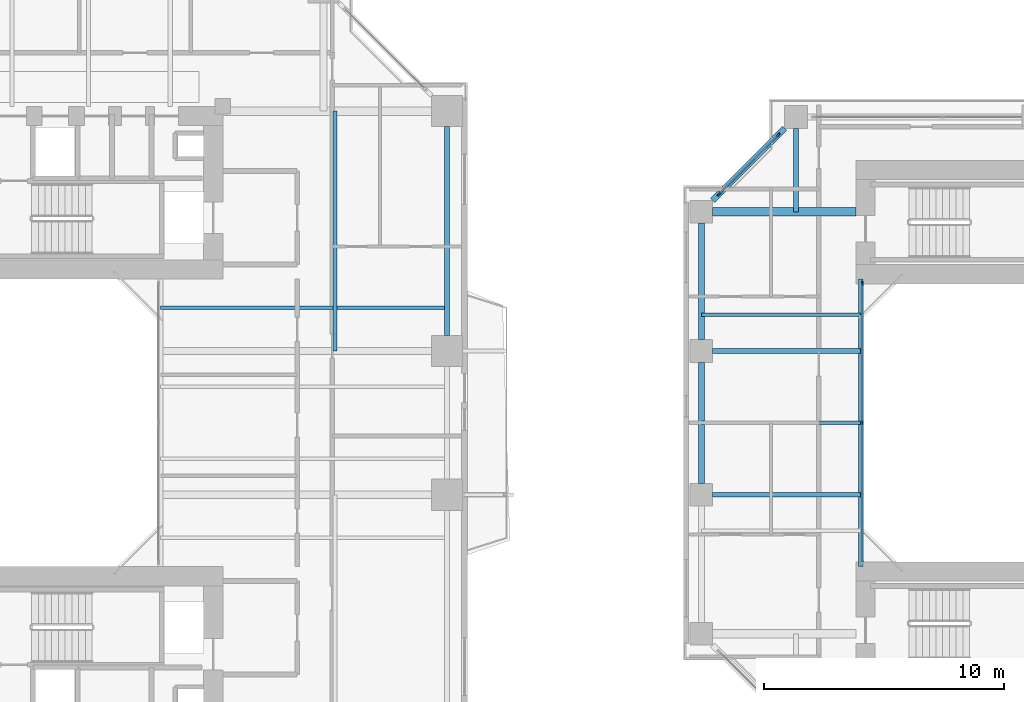
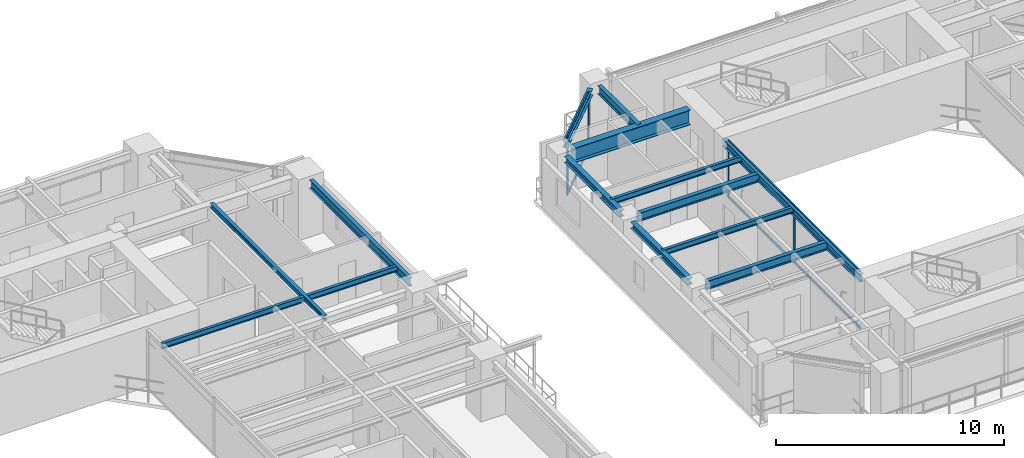
# One storey, part 8 of 23: 13 beams, 10 members, 2 elements without a shape of their own.
"""IFC4 building model written with IfcOpenShell, lengths in metres."""

from ifc_helpers import new_model, si_unit, direction, frame, origin, origin_2d, place, context, subcontext, project, spatial, rectangle, i_section, extrude, source, transform, mapped, material, layer, layer_set, material_profile, profile_set, type_object, element, aggregate, save


model = new_model("IFC4")

# Units and contexts
model_context = context("Model", 3, precision=1e-05, world=origin(), true_north=direction((0.0, 1.0)))
body_context = subcontext(model_context, "Body", "Model", "MODEL_VIEW")
ifc_project = project(units=[si_unit("LENGTHUNIT", "METRE"), si_unit("AREAUNIT", "SQUARE_METRE"), si_unit("VOLUMEUNIT", "CUBIC_METRE"), si_unit("PLANEANGLEUNIT", "RADIAN"), si_unit("MASSUNIT", "GRAM", prefix="KILO"), si_unit("THERMODYNAMICTEMPERATUREUNIT", "KELVIN"), si_unit("POWERUNIT", "WATT")], contexts=[model_context])

# Site, building, storey
site_placement = place(None, origin())
site = spatial("IfcSite", under=ifc_project, at=site_placement, CompositionType="ELEMENT")
building_placement = place(site_placement, origin())
building = spatial("IfcBuilding", under=site, at=building_placement, Name="Qiaomeng Ring Towers", CompositionType="ELEMENT")
storey_placement = place(building_placement, frame((0.0, 0.0, 60.0)))
storey = spatial("IfcBuildingStorey", under=building, at=storey_placement, Name="L16", CompositionType="ELEMENT", Elevation=60.0)

# Beams
ifc_material_1 = material(Name="Steel Q355B", Category="steel")
ifc_material_profile_1 = material_profile(ifc_material_1, i_section(OverallWidth=0.199951171875, OverallDepth=0.449951171875, WebThickness=0.009033203125, FlangeThickness=0.013916015625, FilletRadius=0.01806640625, at=origin_2d()), Name="HN 450x200x9x14")
ifc_profile_set_1 = profile_set([ifc_material_profile_1], Name="Steel Q355B")
beam_type_1 = type_object("IfcBeamType", Name="STR-BM-HN450", PredefinedType="SPANDREL", material=ifc_profile_set_1)
shared_shape_1 = source(origin(), body_context, "Body", "SweptSolid", [
    extrude(i_section(OverallWidth=0.199951171875, OverallDepth=0.449951171875, WebThickness=0.009033203125, FlangeThickness=0.013916015625, FilletRadius=0.01806640625, at=origin_2d()), origin(), (0.0, 0.0, 1.0), 8.7021484375),
])
beam_1_placement = place(storey_placement, frame((37.14990234375, 26.64892578125, 2.844970703125), z_axis=(0.0, 1.0, 0.0), x_axis=(-1.0, 0.0, 0.0)))
element("IfcBeam", 1, at=beam_1_placement, inside=storey, type_object=beam_type_1, Name="L16 beam STR-SP-L16-T1-E3-E4", PredefinedType="SPANDREL", context=body_context, shape_type="MappedRepresentation", body=[
    mapped(shared_shape_1, transform((0.0, 0.0, 0.0), x_axis=(1.0, 0.0, 0.0), y_axis=(0.0, 1.0, 0.0), z_axis=(0.0, 0.0, 1.0), scale=1.0)),
])
ifc_material_profile_2 = material_profile(ifc_material_1, i_section(OverallWidth=0.25, OverallDepth=0.340087890625, WebThickness=0.009033203125, FlangeThickness=0.013916015625, FilletRadius=0.02001953125, at=origin_2d()), Name="HM 340x250x9x14")
ifc_profile_set_2 = profile_set([ifc_material_profile_2], Name="Steel Q355B")
beam_type_2 = type_object("IfcBeamType", Name="STR-BM-HM340", PredefinedType="SPANDREL", material=ifc_profile_set_2)
shared_shape_2 = source(origin(), body_context, "Body", "SweptSolid", [
    extrude(i_section(OverallWidth=0.25, OverallDepth=0.340087890625, WebThickness=0.009033203125, FlangeThickness=0.013916015625, FilletRadius=0.02001953125, at=origin_2d()), origin(), (0.0, 0.0, 1.0), 4.244384765625),
])
beam_2_placement = place(storey_placement, frame((51.2255859375, 35.275634765625, 2.89990234375), z_axis=(-0.707106781187, -0.707106781187, 0.0), x_axis=(0.707106781187, -0.707106781187, 0.0)))
element("IfcBeam", 2, at=beam_2_placement, inside=storey, type_object=beam_type_2, Name="L16 beam STR-SP-L16-T2-N1-W4", PredefinedType="SPANDREL", context=body_context, shape_type="MappedRepresentation", body=[
    mapped(shared_shape_2, transform((0.0, 0.0, 0.0), x_axis=(1.0, 0.0, 0.0), y_axis=(0.0, 1.0, 0.0), z_axis=(0.0, 0.0, 1.0), scale=1.0)),
])
shared_shape_3 = source(origin(), body_context, "Body", "SweptSolid", [
    extrude(i_section(OverallWidth=0.25, OverallDepth=0.340087890625, WebThickness=0.009033203125, FlangeThickness=0.013916015625, FilletRadius=0.02001953125, at=origin_2d()), origin(), (0.0, 0.0, 1.0), 4.851806640625),
])
beam_3_placement = place(storey_placement, frame((47.75, 31.325927734375, 2.89990234375), z_axis=(0.0, -1.0, 0.0), x_axis=(1.0, 0.0, 0.0)))
element("IfcBeam", 3, at=beam_3_placement, inside=storey, type_object=beam_type_2, Name="L16 beam STR-SP-L16-T2-W4-W3", PredefinedType="SPANDREL", context=body_context, shape_type="MappedRepresentation", body=[
    mapped(shared_shape_3, transform((0.0, 0.0, 0.0), x_axis=(1.0, 0.0, 0.0), y_axis=(0.0, 1.0, 0.0), z_axis=(0.0, 0.0, 1.0), scale=1.0)),
])
shared_shape_4 = source(origin(), body_context, "Body", "SweptSolid", [
    extrude(i_section(OverallWidth=0.25, OverallDepth=0.340087890625, WebThickness=0.009033203125, FlangeThickness=0.013916015625, FilletRadius=0.02001953125, at=origin_2d()), origin(), (0.0, 0.0, 1.0), 5.0517578125),
])
beam_4_placement = place(storey_placement, frame((47.75, 25.52587890625, 2.89990234375), z_axis=(0.0, -1.0, 0.0), x_axis=(1.0, 0.0, 0.0)))
element("IfcBeam", 4, at=beam_4_placement, inside=storey, type_object=beam_type_2, Name="L16 beam STR-SP-L16-T2-W3-W2", PredefinedType="SPANDREL", context=body_context, shape_type="MappedRepresentation", body=[
    mapped(shared_shape_4, transform((0.0, 0.0, 0.0), x_axis=(1.0, 0.0, 0.0), y_axis=(0.0, 1.0, 0.0), z_axis=(0.0, 0.0, 1.0), scale=1.0)),
])
ifc_material_profile_3 = material_profile(ifc_material_1, i_section(OverallWidth=0.199951171875, OverallDepth=0.39990234375, WebThickness=0.008056640625, FlangeThickness=0.012939453125, FilletRadius=0.01611328125, at=origin_2d()), Name="HN 400x200x8x13")
ifc_profile_set_3 = profile_set([ifc_material_profile_3], Name="Steel Q355B")
beam_type_3 = type_object("IfcBeamType", Name="STR-BM-HN400", PredefinedType="SPANDREL", material=ifc_profile_set_3)
shared_shape_5 = source(origin(), body_context, "Body", "SweptSolid", [
    extrude(i_section(OverallWidth=0.199951171875, OverallDepth=0.39990234375, WebThickness=0.008056640625, FlangeThickness=0.012939453125, FilletRadius=0.01611328125, at=origin_2d()), origin(), (0.0, 0.0, 1.0), 12.0),
])
beam_5_placement = place(storey_placement, frame((54.39990234375, 17.0, 2.8701171875), z_axis=(0.0, 1.0, 0.0), x_axis=(-1.0, 0.0, 0.0)))
element("IfcBeam", 5, at=beam_5_placement, inside=storey, type_object=beam_type_3, Name="L16 beam STR-BM-L16-T2-WELL-W", PredefinedType="SPANDREL", context=body_context, shape_type="MappedRepresentation", body=[
    mapped(shared_shape_5, transform((0.0, 0.0, 0.0), x_axis=(1.0, 0.0, 0.0), y_axis=(0.0, 1.0, 0.0), z_axis=(0.0, 0.0, 1.0), scale=1.0)),
])
ifc_material_2 = material(Name="Steel Q390GJC", Category="steel")
ifc_material_profile_4 = material_profile(ifc_material_2, i_section(OverallWidth=0.35009765625, OverallDepth=0.800048828125, WebThickness=0.01611328125, FlangeThickness=0.028076171875, at=origin_2d()), Name="WH 800x350x16x28")
ifc_profile_set_4 = profile_set([ifc_material_profile_4], Name="Steel Q390GJC")
beam_type_4 = type_object("IfcBeamType", Name="STR-BM-WH800", PredefinedType="BEAM", material=ifc_profile_set_4)
shared_shape_6 = source(origin(), body_context, "Body", "SweptSolid", [
    extrude(i_section(OverallWidth=0.35009765625, OverallDepth=0.800048828125, WebThickness=0.01611328125, FlangeThickness=0.028076171875, at=origin_2d()), origin(), (0.0, 0.0, 1.0), 5.975830078125),
])
beam_6_placement = place(storey_placement, frame((48.22412109375, 31.800048828125, 2.669921875), z_axis=(1.0, 0.0, 0.0), x_axis=(0.0, 1.0, 0.0)))
element("IfcBeam", 6, at=beam_6_placement, inside=storey, type_object=beam_type_4, Name="L16 beam STR-BM-L16-T2-RAD-W4", PredefinedType="BEAM", context=body_context, shape_type="MappedRepresentation", body=[
    mapped(shared_shape_6, transform((0.0, 0.0, 0.0), x_axis=(1.0, 0.0, 0.0), y_axis=(0.0, 1.0, 0.0), z_axis=(0.0, 0.0, 1.0), scale=1.0)),
])
shared_shape_7 = source(origin(), body_context, "Body", "SweptSolid", [
    extrude(i_section(OverallWidth=0.199951171875, OverallDepth=0.449951171875, WebThickness=0.009033203125, FlangeThickness=0.013916015625, FilletRadius=0.01806640625, at=origin_2d()), origin(), (0.0, 0.0, 1.0), 6.17578125),
])
for number, where, z_axis, x_axis, name in (
    (7, (48.22412109375, 20.0, 2.844970703125), (1.0, 0.0, 0.0), (0.0, 1.0, 0.0), "L16 beam STR-BM-L16-T2-RAD-W2"),
    (8, (48.22412109375, 26.0, 2.844970703125), (1.0, 0.0, 0.0), (0.0, 1.0, 0.0), "L16 beam STR-BM-L16-T2-RAD-W3"),
):
    element("IfcBeam", number, at=place(storey_placement, frame(where, z_axis=z_axis, x_axis=x_axis)), inside=storey, type_object=beam_type_1, Name=name, PredefinedType="SPANDREL", context=body_context, shape_type="MappedRepresentation", body=[
        mapped(shared_shape_7, transform((0.0, 0.0, 0.0), x_axis=(1.0, 0.0, 0.0), y_axis=(0.0, 1.0, 0.0), z_axis=(0.0, 0.0, 1.0), scale=1.0)),
    ])
shared_shape_8 = source(origin(), body_context, "Body", "SweptSolid", [
    extrude(i_section(OverallWidth=0.199951171875, OverallDepth=0.449951171875, WebThickness=0.009033203125, FlangeThickness=0.013916015625, FilletRadius=0.01806640625, at=origin_2d()), origin(), (0.0, 0.0, 1.0), 3.475830078125),
])
beam_7_placement = place(storey_placement, frame((51.699951171875, 35.27587890625, 2.844970703125), z_axis=(0.0, -1.0, 0.0), x_axis=(1.0, 0.0, 0.0)))
element("IfcBeam", 9, at=beam_7_placement, inside=storey, type_object=beam_type_1, Name="L16 beam STR-BM-L16-T2-RAD-N1", PredefinedType="SPANDREL", context=body_context, shape_type="MappedRepresentation", body=[
    mapped(shared_shape_8, transform((0.0, 0.0, 0.0), x_axis=(1.0, 0.0, 0.0), y_axis=(0.0, 1.0, 0.0), z_axis=(0.0, 0.0, 1.0), scale=1.0)),
])
ifc_material_profile_5 = material_profile(ifc_material_1, i_section(OverallWidth=0.14990234375, OverallDepth=0.300048828125, WebThickness=0.006591796875, FlangeThickness=0.009033203125, FilletRadius=0.012939453125, at=origin_2d()), Name="HN 300x150x6.5x9")
ifc_profile_set_5 = profile_set([ifc_material_profile_5], Name="Steel Q355B")
beam_type_5 = type_object("IfcBeamType", Name="STR-BM-HN300", PredefinedType="JOIST", material=ifc_profile_set_5)
shared_shape_9 = source(origin(), body_context, "Body", "SweptSolid", [
    extrude(i_section(OverallWidth=0.14990234375, OverallDepth=0.300048828125, WebThickness=0.006591796875, FlangeThickness=0.009033203125, FilletRadius=0.012939453125, at=origin_2d()), origin(), (0.0, 0.0, 1.0), 11.949951171875),
])
beam_8_placement = place(storey_placement, frame((25.199951171875, 27.800048828125, 2.919921875), z_axis=(1.0, 0.0, 0.0), x_axis=(0.0, 1.0, 0.0)))
element("IfcBeam", 10, at=beam_8_placement, inside=storey, type_object=beam_type_5, Name="L16 beam STR-JST-L16-T1E-4", PredefinedType="JOIST", context=body_context, shape_type="MappedRepresentation", body=[
    mapped(shared_shape_9, transform((0.0, 0.0, 0.0), x_axis=(1.0, 0.0, 0.0), y_axis=(0.0, 1.0, 0.0), z_axis=(0.0, 0.0, 1.0), scale=1.0)),
])
ifc_material_profile_6 = material_profile(ifc_material_1, i_section(OverallWidth=0.175048828125, OverallDepth=0.243896484375, WebThickness=0.007080078125, FlangeThickness=0.010986328125, FilletRadius=0.01611328125, at=origin_2d()), Name="HM 244x175x7x11")
ifc_profile_set_6 = profile_set([ifc_material_profile_6], Name="Steel Q355B")
beam_type_6 = type_object("IfcBeamType", Name="STR-BM-HM244", PredefinedType="JOIST", material=ifc_profile_set_6)
shared_shape_10 = source(origin(), body_context, "Body", "SweptSolid", [
    extrude(i_section(OverallWidth=0.175048828125, OverallDepth=0.243896484375, WebThickness=0.007080078125, FlangeThickness=0.010986328125, FilletRadius=0.01611328125, at=origin_2d()), origin(), (0.0, 0.0, 1.0), 10.0),
])
beam_9_placement = place(storey_placement, frame((32.47509765625, 26.0, 2.947998046875), z_axis=(0.0, 1.0, 0.0), x_axis=(-1.0, 0.0, 0.0)))
element("IfcBeam", 11, at=beam_9_placement, inside=storey, type_object=beam_type_6, Name="L16 beam STR-JST-L16-T1C-EN", PredefinedType="JOIST", context=body_context, shape_type="MappedRepresentation", body=[
    mapped(shared_shape_10, transform((0.0, 0.0, 0.0), x_axis=(1.0, 0.0, 0.0), y_axis=(0.0, 1.0, 0.0), z_axis=(0.0, 0.0, 1.0), scale=1.0)),
])
shared_shape_11 = source(origin(), body_context, "Body", "SweptSolid", [
    extrude(i_section(OverallWidth=0.14990234375, OverallDepth=0.300048828125, WebThickness=0.006591796875, FlangeThickness=0.009033203125, FilletRadius=0.012939453125, at=origin_2d()), origin(), (0.0, 0.0, 1.0), 6.64990234375),
])
for number, where, z_axis, x_axis, name in (
    (12, (47.75, 23.0, 2.919921875), (1.0, 0.0, 0.0), (0.0, 1.0, 0.0), "L16 beam STR-JST-L16-T2W-2"),
    (13, (47.75, 27.5, 2.919921875), (1.0, 0.0, 0.0), (0.0, 1.0, 0.0), "L16 beam STR-JST-L16-T2W-3"),
):
    element("IfcBeam", number, at=place(storey_placement, frame(where, z_axis=z_axis, x_axis=x_axis)), inside=storey, type_object=beam_type_5, Name=name, PredefinedType="JOIST", context=body_context, shape_type="MappedRepresentation", body=[
        mapped(shared_shape_11, transform((0.0, 0.0, 0.0), x_axis=(1.0, 0.0, 0.0), y_axis=(0.0, 1.0, 0.0), z_axis=(0.0, 0.0, 1.0), scale=1.0)),
    ])

# Curtain wall, members
ifc_material_3 = material(Name="Fluorocarbon dark-grey aluminium", Category="aluminium")
ifc_layer_1 = layer(ifc_material_3, 0.139892578125, Name="Fluorocarbon dark-grey aluminium")
ifc_layer_set_1 = layer_set([ifc_layer_1], Name="Fluorocarbon dark-grey aluminium")
curtain_wall_type_1 = type_object("IfcCurtainWallType", Name="ARC-CW-4", PredefinedType="NOTDEFINED", material=ifc_layer_set_1)
curtain_wall_1_placement = place(storey_placement, origin())
curtain_wall_1 = element("IfcCurtainWall", 14, at=curtain_wall_1_placement, inside=storey, type_object=curtain_wall_type_1, Name="L16 Curtain Wall CW4", PredefinedType="NOTDEFINED")
ifc_material_profile_7 = material_profile(ifc_material_3, rectangle(XDim=0.06494140625, YDim=0.159912109375, at=origin_2d()), Name="ALU MULL 65x160")
ifc_profile_set_7 = profile_set([ifc_material_profile_7], Name="Fluorocarbon dark-grey aluminium")
member_type_1 = type_object("IfcMemberType", Name="ARC-CWM-140", PredefinedType="MULLION", material=ifc_profile_set_7)
shared_shape_12 = source(origin(), body_context, "Body", "SweptSolid", [
    extrude(rectangle(XDim=0.06494140625, YDim=0.159912109375, at=origin_2d()), origin(), (0.0, 0.0, 1.0), 3.070068359375),
])
member_1_placement = place(storey_placement, frame((54.47998046875, 23.0, 0.0), z_axis=(0.0, 0.0, 1.0), x_axis=(-1.0, 0.0, 0.0)))
member_1 = element("IfcMember", 15, at=member_1_placement, type_object=member_type_1, Name="CW4 mullion 2", PredefinedType="MULLION", context=body_context, shape_type="MappedRepresentation", body=[
    mapped(shared_shape_12, transform((0.0, 0.0, 0.0), x_axis=(1.0, 0.0, 0.0), y_axis=(0.0, 1.0, 0.0), z_axis=(0.0, 0.0, 1.0), scale=1.0)),
])
member_2_placement = place(storey_placement, frame((54.47998046875, 28.8173828125, 0.0), z_axis=(0.0, 0.0, 1.0), x_axis=(-1.0, 0.0, 0.0)))
member_2 = element("IfcMember", 16, at=member_2_placement, type_object=member_type_1, Name="CW4 mullion 3", PredefinedType="MULLION", context=body_context, shape_type="MappedRepresentation", body=[
    mapped(shared_shape_12, transform((0.0, 0.0, 0.0), x_axis=(1.0, 0.0, 0.0), y_axis=(0.0, 1.0, 0.0), z_axis=(0.0, 0.0, 1.0), scale=1.0)),
])
ifc_material_profile_8 = material_profile(ifc_material_3, rectangle(XDim=0.06494140625, YDim=0.1298828125, at=origin_2d()), Name="ALU TRAN 65x130")
ifc_profile_set_8 = profile_set([ifc_material_profile_8], Name="Fluorocarbon dark-grey aluminium")
member_type_2 = type_object("IfcMemberType", Name="ARC-CWT-120", PredefinedType="USERDEFINED", material=ifc_profile_set_8)
shared_shape_13 = source(origin(), body_context, "Body", "SweptSolid", [
    extrude(rectangle(XDim=0.06494140625, YDim=0.1298828125, at=origin_2d()), origin(), (0.0, 0.0, 1.0), 5.75244140625),
])
member_3_placement = place(storey_placement, frame((54.47998046875, 17.215087890625, 0.032470703125), z_axis=(0.0, 1.0, 0.0), x_axis=(-1.0, 0.0, 0.0)))
member_3 = element("IfcMember", 17, at=member_3_placement, type_object=member_type_2, Name="CW4 transom 1.1", ObjectType="TRANSOM", PredefinedType="USERDEFINED", context=body_context, shape_type="MappedRepresentation", body=[
    mapped(shared_shape_13, transform((0.0, 0.0, 0.0), x_axis=(1.0, 0.0, 0.0), y_axis=(0.0, 1.0, 0.0), z_axis=(0.0, 0.0, 1.0), scale=1.0)),
])
member_4_placement = place(storey_placement, frame((54.47998046875, 17.215087890625, 3.03759765625), z_axis=(0.0, 1.0, 0.0), x_axis=(-1.0, 0.0, 0.0)))
member_4 = element("IfcMember", 18, at=member_4_placement, type_object=member_type_2, Name="CW4 transom 1.2", ObjectType="TRANSOM", PredefinedType="USERDEFINED", context=body_context, shape_type="MappedRepresentation", body=[
    mapped(shared_shape_13, transform((0.0, 0.0, 0.0), x_axis=(1.0, 0.0, 0.0), y_axis=(0.0, 1.0, 0.0), z_axis=(0.0, 0.0, 1.0), scale=1.0)),
])
member_5_placement = place(storey_placement, frame((54.47998046875, 23.032470703125, 0.032470703125), z_axis=(0.0, 1.0, 0.0), x_axis=(-1.0, 0.0, 0.0)))
member_5 = element("IfcMember", 19, at=member_5_placement, type_object=member_type_2, Name="CW4 transom 2.1", ObjectType="TRANSOM", PredefinedType="USERDEFINED", context=body_context, shape_type="MappedRepresentation", body=[
    mapped(shared_shape_13, transform((0.0, 0.0, 0.0), x_axis=(1.0, 0.0, 0.0), y_axis=(0.0, 1.0, 0.0), z_axis=(0.0, 0.0, 1.0), scale=1.0)),
])
member_6_placement = place(storey_placement, frame((54.47998046875, 23.032470703125, 3.03759765625), z_axis=(0.0, 1.0, 0.0), x_axis=(-1.0, 0.0, 0.0)))
member_6 = element("IfcMember", 20, at=member_6_placement, type_object=member_type_2, Name="CW4 transom 2.2", ObjectType="TRANSOM", PredefinedType="USERDEFINED", context=body_context, shape_type="MappedRepresentation", body=[
    mapped(shared_shape_13, transform((0.0, 0.0, 0.0), x_axis=(1.0, 0.0, 0.0), y_axis=(0.0, 1.0, 0.0), z_axis=(0.0, 0.0, 1.0), scale=1.0)),
])
aggregate(curtain_wall_1, [member_1, member_2, member_3, member_4, member_5, member_6])

ifc_layer_2 = layer(ifc_material_3, 0.14990234375, Name="Fluorocarbon dark-grey aluminium")
ifc_layer_set_2 = layer_set([ifc_layer_2], Name="Fluorocarbon dark-grey aluminium")
curtain_wall_type_2 = type_object("IfcCurtainWallType", Name="ARC-CW-5", PredefinedType="NOTDEFINED", material=ifc_layer_set_2)
curtain_wall_2_placement = place(storey_placement, origin())
curtain_wall_2 = element("IfcCurtainWall", 21, at=curtain_wall_2_placement, inside=storey, type_object=curtain_wall_type_2, Name="L16 Curtain Wall CW5", PredefinedType="NOTDEFINED")
ifc_material_profile_9 = material_profile(ifc_material_3, rectangle(XDim=0.070068359375, YDim=0.179931640625, at=origin_2d()), Name="ALU MULL 70x180")
ifc_profile_set_9 = profile_set([ifc_material_profile_9], Name="Fluorocarbon dark-grey aluminium")
member_type_3 = type_object("IfcMemberType", Name="ARC-CWM-160", PredefinedType="MULLION", material=ifc_profile_set_9)
shared_shape_14 = source(origin(), body_context, "Body", "SweptSolid", [
    extrude(rectangle(XDim=0.070068359375, YDim=0.179931640625, at=origin_2d()), origin(), (0.0, 0.0, 1.0), 3.070068359375),
])
member_7_placement = place(storey_placement, frame((50.960205078125, 35.01025390625, 0.0), z_axis=(0.0, 0.0, 1.0), x_axis=(0.707106781187, -0.707106781187, 0.0)))
member_7 = element("IfcMember", 22, at=member_7_placement, type_object=member_type_3, Name="CW5 mullion 1", PredefinedType="MULLION", context=body_context, shape_type="MappedRepresentation", body=[
    mapped(shared_shape_14, transform((0.0, 0.0, 0.0), x_axis=(1.0, 0.0, 0.0), y_axis=(0.0, 1.0, 0.0), z_axis=(0.0, 0.0, 1.0), scale=1.0)),
])
member_8_placement = place(storey_placement, frame((48.48974609375, 32.539794921875, 0.0), z_axis=(0.0, 0.0, 1.0), x_axis=(0.707106781187, -0.707106781187, 0.0)))
member_8 = element("IfcMember", 23, at=member_8_placement, type_object=member_type_3, Name="CW5 mullion 2", PredefinedType="MULLION", context=body_context, shape_type="MappedRepresentation", body=[
    mapped(shared_shape_14, transform((0.0, 0.0, 0.0), x_axis=(1.0, 0.0, 0.0), y_axis=(0.0, 1.0, 0.0), z_axis=(0.0, 0.0, 1.0), scale=1.0)),
])
shared_shape_15 = source(origin(), body_context, "Body", "SweptSolid", [
    extrude(rectangle(XDim=0.06494140625, YDim=0.1298828125, at=origin_2d()), origin(), (0.0, 0.0, 1.0), 3.424072265625),
])
member_9_placement = place(storey_placement, frame((50.935546875, 34.985595703125, 0.032470703125), z_axis=(-0.707106781187, -0.707106781187, 0.0), x_axis=(0.707106781187, -0.707106781187, 0.0)))
member_9 = element("IfcMember", 24, at=member_9_placement, type_object=member_type_2, Name="CW5 transom 1.1", ObjectType="TRANSOM", PredefinedType="USERDEFINED", context=body_context, shape_type="MappedRepresentation", body=[
    mapped(shared_shape_15, transform((0.0, 0.0, 0.0), x_axis=(1.0, 0.0, 0.0), y_axis=(0.0, 1.0, 0.0), z_axis=(0.0, 0.0, 1.0), scale=1.0)),
])
member_10_placement = place(storey_placement, frame((50.935546875, 34.985595703125, 3.03759765625), z_axis=(-0.707106781187, -0.707106781187, 0.0), x_axis=(0.707106781187, -0.707106781187, 0.0)))
member_10 = element("IfcMember", 25, at=member_10_placement, type_object=member_type_2, Name="CW5 transom 1.2", ObjectType="TRANSOM", PredefinedType="USERDEFINED", context=body_context, shape_type="MappedRepresentation", body=[
    mapped(shared_shape_15, transform((0.0, 0.0, 0.0), x_axis=(1.0, 0.0, 0.0), y_axis=(0.0, 1.0, 0.0), z_axis=(0.0, 0.0, 1.0), scale=1.0)),
])
aggregate(curtain_wall_2, [member_7, member_8, member_9, member_10])

save(model, "model.ifc")
